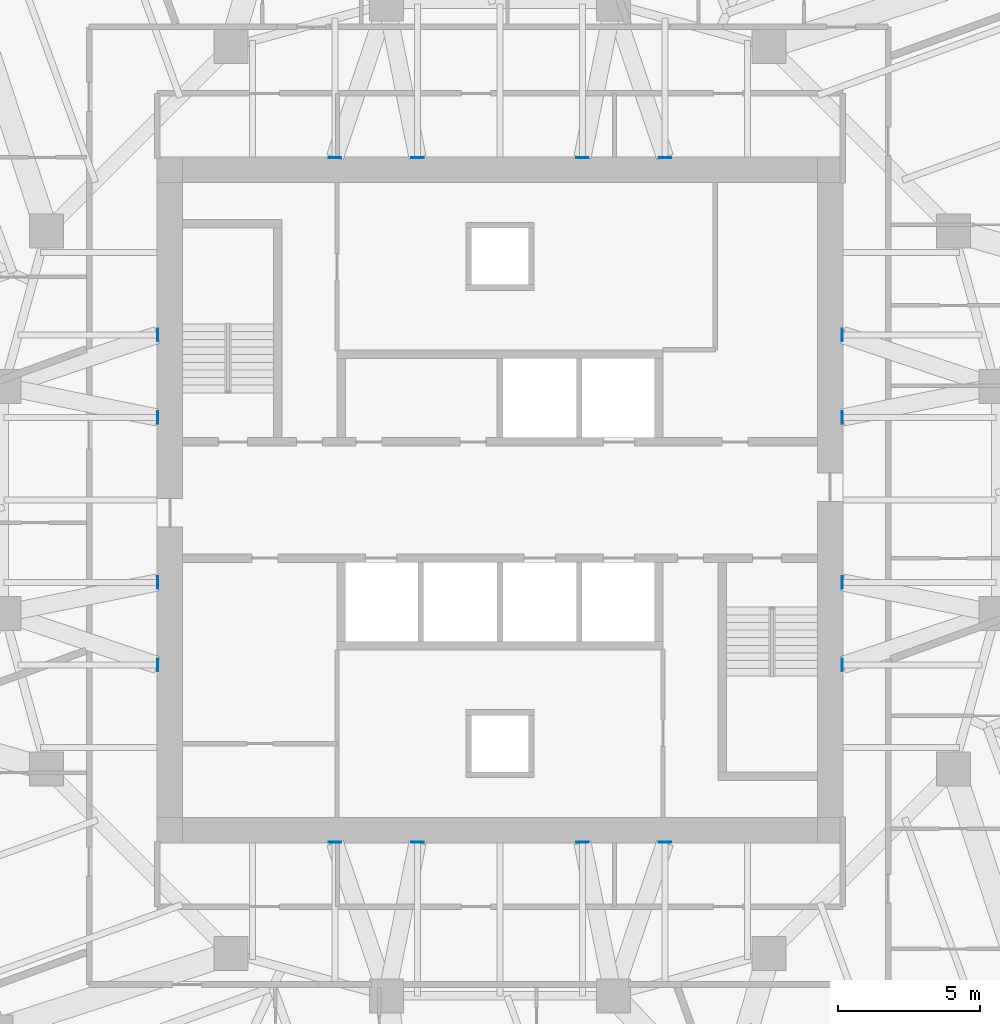
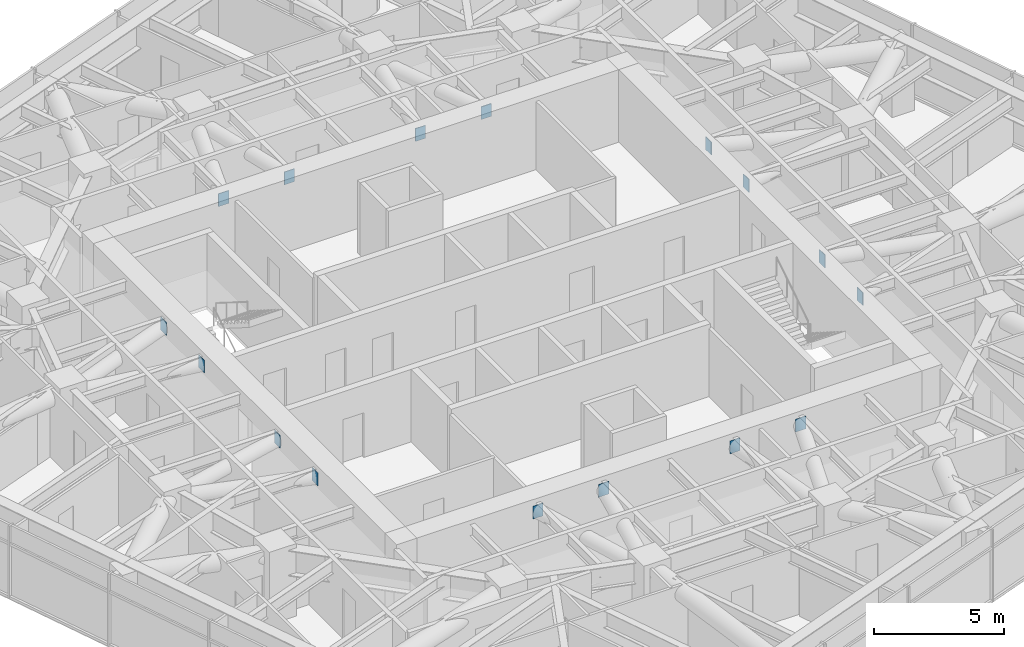
# One storey, part 15 of 16: 16 discrete accessories.
"""IFC4 building model written with IfcOpenShell, lengths in metres."""

from ifc_helpers import new_model, si_unit, direction, frame, origin, origin_2d, place, context, subcontext, project, spatial, rectangle, extrude, material, layer, layer_set, type_object, element, save


model = new_model("IFC4")

# Units and contexts
model_context = context("Model", 3, precision=1e-05, world=origin(), true_north=direction((0.0, 1.0)))
body_context = subcontext(model_context, "Body", "Model", "MODEL_VIEW")
ifc_project = project(units=[si_unit("LENGTHUNIT", "METRE"), si_unit("AREAUNIT", "SQUARE_METRE"), si_unit("VOLUMEUNIT", "CUBIC_METRE"), si_unit("PLANEANGLEUNIT", "RADIAN"), si_unit("MASSUNIT", "GRAM", prefix="KILO")], contexts=[model_context])

# Site, building, storey
site_placement = place(None, origin())
site = spatial("IfcSite", under=ifc_project, at=site_placement, CompositionType="ELEMENT")
building_placement = place(site_placement, origin())
building = spatial("IfcBuilding", under=site, at=building_placement, Name="Torsade Residences", CompositionType="ELEMENT")
storey_placement = place(building_placement, frame((0.0, 0.0, 167.60009765625)))
storey = spatial("IfcBuildingStorey", under=building, at=storey_placement, Name="L46", CompositionType="ELEMENT", Elevation=167.60009765625)

# Discrete accessories
ifc_material = material(Name="Steel grade 350", Category="steel")
ifc_layer = layer(ifc_material, 0.031982421875)
ifc_layer_set = layer_set([ifc_layer], Name="Steel grade 350")
discrete_accessory_type = type_object("IfcDiscreteAccessoryType", Name="CAST-IN PLATE 450x600x32", PredefinedType="ANCHORPLATE", material=ifc_layer_set)
for number, where, z_axis, x_axis, name in (
    (1, (52.083984375, 27.08740234375, 2.48583984375), (0.0, 0.0, 1.0), (1.0, 0.0, 0.0), "Cast-in plate PB1 PB-L47-IR01IE03"),
    (2, (52.083984375, 24.175048828125, 2.48583984375), (0.0, 0.0, 1.0), (1.0, 0.0, 0.0), "Cast-in plate PB1 PB-L47-IR01IE02"),
    (3, (52.083984375, 32.91259765625, 2.48583984375), (0.0, 0.0, 1.0), (1.0, 0.0, 0.0), "Cast-in plate PB1 PB-L47-IR02IE05"),
    (4, (52.083984375, 35.824951171875, 2.48583984375), (0.0, 0.0, 1.0), (1.0, 0.0, 0.0), "Cast-in plate PB1 PB-L47-IR02IE06"),
):
    element("IfcDiscreteAccessory", number, at=place(storey_placement, frame(where, z_axis=z_axis, x_axis=x_axis)), inside=storey, type_object=discrete_accessory_type, Name=name, PredefinedType="ANCHORPLATE", context=body_context, shape_type="SweptSolid", body=[
        extrude(rectangle(XDim=0.031982421875, YDim=0.449951171875, at=origin_2d()), origin(), (0.0, 0.0, 1.0), 0.60009765625),
    ])
for number, where, z_axis, x_axis, name in (
    (5, (42.91259765625, 42.083984375, 2.48583984375), (0.0, 0.0, 1.0), (1.0, 0.0, 0.0), "Cast-in plate PB1 PB-L47-IR05IN05"),
    (6, (45.824951171875, 42.083984375, 2.48583984375), (0.0, 0.0, 1.0), (1.0, 0.0, 0.0), "Cast-in plate PB1 PB-L47-IR05IN06"),
    (7, (37.08740234375, 42.083984375, 2.48583984375), (0.0, 0.0, 1.0), (1.0, 0.0, 0.0), "Cast-in plate PB1 PB-L47-IR06IN03"),
    (8, (34.175048828125, 42.083984375, 2.48583984375), (0.0, 0.0, 1.0), (1.0, 0.0, 0.0), "Cast-in plate PB1 PB-L47-IR06IN02"),
):
    element("IfcDiscreteAccessory", number, at=place(storey_placement, frame(where, z_axis=z_axis, x_axis=x_axis)), inside=storey, type_object=discrete_accessory_type, Name=name, PredefinedType="ANCHORPLATE", context=body_context, shape_type="SweptSolid", body=[
        extrude(rectangle(XDim=0.449951171875, YDim=0.031982421875, at=origin_2d()), origin(), (0.0, 0.0, 1.0), 0.60009765625),
    ])
for number, where, z_axis, x_axis, name in (
    (9, (27.916015625, 32.91259765625, 2.48583984375), (0.0, 0.0, 1.0), (1.0, 0.0, 0.0), "Cast-in plate PB1 PB-L47-IR09IW03"),
    (10, (27.916015625, 35.824951171875, 2.48583984375), (0.0, 0.0, 1.0), (1.0, 0.0, 0.0), "Cast-in plate PB1 PB-L47-IR09IW02"),
    (11, (27.916015625, 27.08740234375, 2.48583984375), (0.0, 0.0, 1.0), (1.0, 0.0, 0.0), "Cast-in plate PB1 PB-L47-IR10IW05"),
    (12, (27.916015625, 24.175048828125, 2.48583984375), (0.0, 0.0, 1.0), (1.0, 0.0, 0.0), "Cast-in plate PB1 PB-L47-IR10IW06"),
):
    element("IfcDiscreteAccessory", number, at=place(storey_placement, frame(where, z_axis=z_axis, x_axis=x_axis)), inside=storey, type_object=discrete_accessory_type, Name=name, PredefinedType="ANCHORPLATE", context=body_context, shape_type="SweptSolid", body=[
        extrude(rectangle(XDim=0.031982421875, YDim=0.449951171875, at=origin_2d()), origin(), (0.0, 0.0, 1.0), 0.60009765625),
    ])
for number, where, z_axis, x_axis, name in (
    (13, (37.08740234375, 17.916015625, 2.48583984375), (0.0, 0.0, 1.0), (1.0, 0.0, 0.0), "Cast-in plate PB1 PB-L47-IR13IS05"),
    (14, (34.175048828125, 17.916015625, 2.48583984375), (0.0, 0.0, 1.0), (1.0, 0.0, 0.0), "Cast-in plate PB1 PB-L47-IR13IS06"),
    (15, (42.91259765625, 17.916015625, 2.48583984375), (0.0, 0.0, 1.0), (1.0, 0.0, 0.0), "Cast-in plate PB1 PB-L47-IR14IS03"),
    (16, (45.824951171875, 17.916015625, 2.48583984375), (0.0, 0.0, 1.0), (1.0, 0.0, 0.0), "Cast-in plate PB1 PB-L47-IR14IS02"),
):
    element("IfcDiscreteAccessory", number, at=place(storey_placement, frame(where, z_axis=z_axis, x_axis=x_axis)), inside=storey, type_object=discrete_accessory_type, Name=name, PredefinedType="ANCHORPLATE", context=body_context, shape_type="SweptSolid", body=[
        extrude(rectangle(XDim=0.449951171875, YDim=0.031982421875, at=origin_2d()), origin(), (0.0, 0.0, 1.0), 0.60009765625),
    ])

save(model, "model.ifc")
